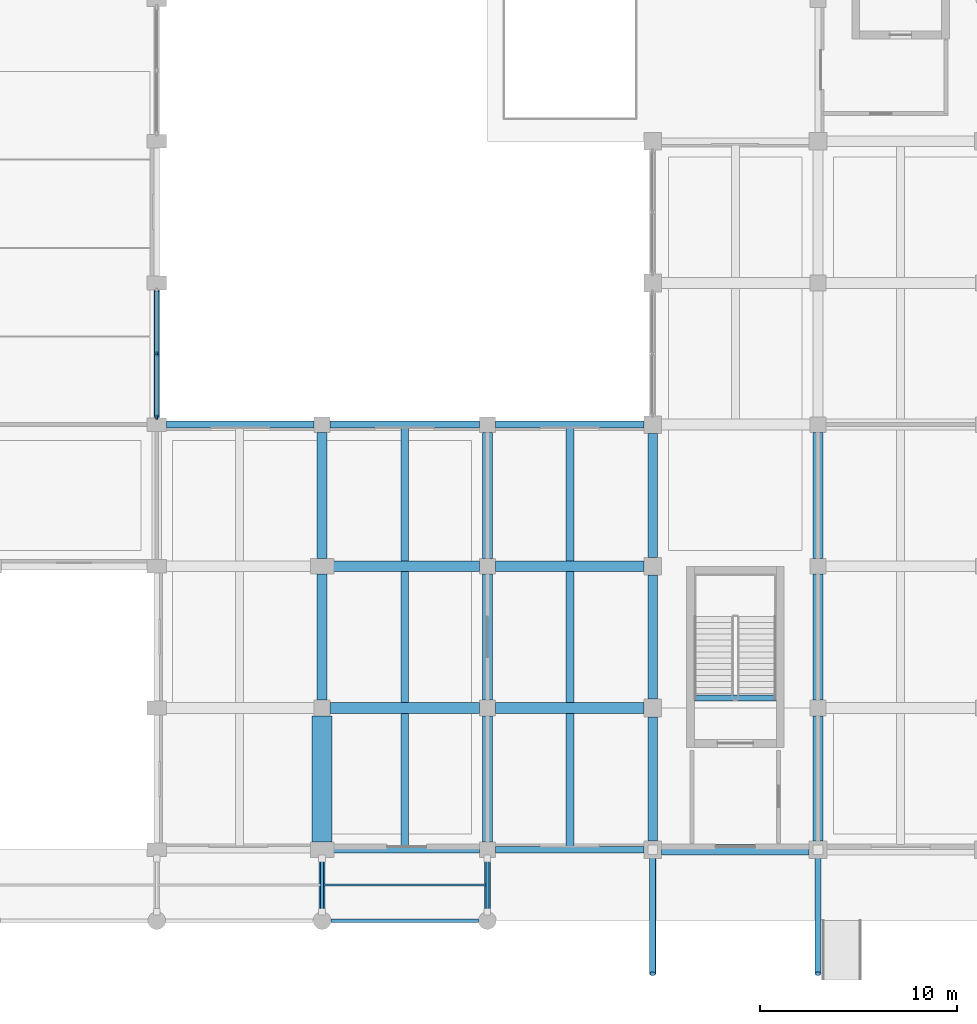
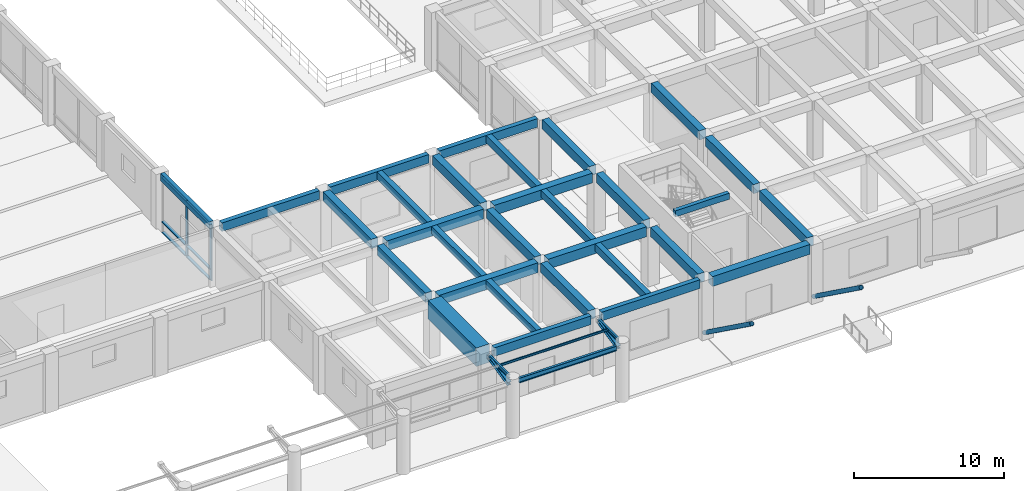
# One storey, part 4 of 49: 33 beams, 13 members, 1 element without a shape of its own.
"""IFC4 building model written with IfcOpenShell, lengths in metres."""

import ifcopenshell
import ifcopenshell.guid

model = None  # the IFC model being written
_history = None  # IfcOwnerHistory: only IFC2X3 demands one
_inside = {}  # id of a spatial element -> (the spatial element, [elements in it])
_under = {}  # id of a project, library or spatial element -> (it, [spatial elements below it])
_declared = {}  # id of a project -> (the project, [libraries it declares])
_typed = {}  # id of a type object -> (the type object, [elements of that type])
_made_of = {}  # id of a material, layer set ... -> (it, [elements and type objects made of it])


def new_model(schema):
    """Start an empty IFC model of exactly this schema.

    Asked for "IFC4X3", IfcOpenShell would pick the latest addendum, in which some entities
    have other attributes; the version numbers below select the first issue.
    IFC2X3 requires an IfcOwnerHistory on every rooted entity: one is made here for all.
    """
    global model, _history
    if schema == "IFC4X3":
        model = ifcopenshell.file(schema_version=(4, 3, 0, 0))
    else:
        model = ifcopenshell.file(schema=schema)
    _inside.clear()
    _under.clear()
    _declared.clear()
    _typed.clear()
    _made_of.clear()
    _history = None
    if model.schema == "IFC2X3":
        org = make("IfcOrganization", Name="unknown")
        user = make(
            "IfcPersonAndOrganization",
            ThePerson=make("IfcPerson", FamilyName="unknown"),
            TheOrganization=org,
        )
        app = make(
            "IfcApplication",
            ApplicationDeveloper=org,
            Version="unknown",
            ApplicationFullName="unknown",
            ApplicationIdentifier="unknown",
        )
        _history = make(
            "IfcOwnerHistory",
            OwningUser=user,
            OwningApplication=app,
            ChangeAction="ADDED",
            CreationDate=0,
        )
    return model


def make(cls, **values):
    """One entity of the class cls with the attributes given. An attribute that is None is left unset."""
    return model.create_entity(
        cls, **{name: value for name, value in values.items() if value is not None}
    )


def rooted(cls, **values):
    """An entity with a GlobalId (a new one), such as an element, a storey or a relation."""
    return make(cls, GlobalId=ifcopenshell.guid.new(), OwnerHistory=_history, **values)


def si_unit(unit_type, name, prefix=None):
    """IfcSIUnit, for example si_unit("LENGTHUNIT", "METRE", prefix="MILLI")."""
    return make("IfcSIUnit", UnitType=unit_type, Prefix=prefix, Name=name)


def assignment(units):
    """IfcUnitAssignment: the units of a project."""
    return None if units is None else make("IfcUnitAssignment", Units=units)


def point(xyz):
    """IfcCartesianPoint."""
    return None if xyz is None else make("IfcCartesianPoint", Coordinates=xyz)


def direction(xyz):
    """IfcDirection."""
    return None if xyz is None else make("IfcDirection", DirectionRatios=xyz)


def frame(location, z_axis=None, x_axis=None):
    """IfcAxis2Placement3D, a coordinate frame: its origin and axes. An axis left out is left unset."""
    return make(
        "IfcAxis2Placement3D",
        Location=point(location),
        Axis=direction(z_axis),
        RefDirection=direction(x_axis),
    )


def frame_2d(location, x_axis=None):
    """IfcAxis2Placement2D, a coordinate frame in the plane: its origin and x axis."""
    return make(
        "IfcAxis2Placement2D", Location=point(location), RefDirection=direction(x_axis)
    )


def origin():
    """The frame at (0, 0, 0) with its axes left unset."""
    return frame((0.0, 0.0, 0.0))


def origin_2d():
    """The frame at (0, 0) in the plane with its x axis left unset."""
    return frame_2d((0.0, 0.0))


def place(relative_to, where):
    """IfcLocalPlacement: puts the frame where relative to a parent placement (None: the world)."""
    return make(
        "IfcLocalPlacement", PlacementRelTo=relative_to, RelativePlacement=where
    )


def context(
    kind, dimensions, precision=None, world=None, true_north=None, identifier=None
):
    """IfcGeometricRepresentationContext, for example the 3D "Model" context."""
    return make(
        "IfcGeometricRepresentationContext",
        ContextIdentifier=identifier,
        ContextType=kind,
        CoordinateSpaceDimension=dimensions,
        Precision=precision,
        WorldCoordinateSystem=world,
        TrueNorth=true_north,
    )


def subcontext(parent, identifier, kind, view, scale=None):
    """IfcGeometricRepresentationSubContext, for example "Body" below "Model"."""
    return make(
        "IfcGeometricRepresentationSubContext",
        ContextIdentifier=identifier,
        ContextType=kind,
        ParentContext=parent,
        TargetScale=scale,
        TargetView=view,
    )


def project(units=None, contexts=None):
    """IfcProject with its units and contexts."""
    return rooted(
        "IfcProject",
        Name="project",
        RepresentationContexts=contexts,
        UnitsInContext=assignment(units),
    )


def spatial(cls, under=None, at=None, **own):
    """A site, building, storey or space (cls), placed at a placement, below another one or the project."""
    s = rooted(cls, ObjectPlacement=at, **own)
    if under is not None:
        _under.setdefault(under.id(), (under, []))[1].append(s)
    return s


def profile(cls, at=None, kind="AREA", **sizes):
    """A parametric profile (cls). Its sizes go by their IFC names, for example OverallWidth=200.0."""
    return make(cls, ProfileType=kind, Position=at, **sizes)


def rectangle(**sizes):
    """IfcRectangleProfileDef."""
    return profile("IfcRectangleProfileDef", **sizes)


def hollow_circle(**sizes):
    """IfcCircleHollowProfileDef."""
    return profile("IfcCircleHollowProfileDef", **sizes)


def i_section(**sizes):
    """IfcIShapeProfileDef."""
    return profile("IfcIShapeProfileDef", **sizes)


def extrude(swept, where, along, depth):
    """IfcExtrudedAreaSolid: the profile swept, set in the frame where, extruded along a direction by depth."""
    return make(
        "IfcExtrudedAreaSolid",
        SweptArea=swept,
        Position=where,
        ExtrudedDirection=direction(along),
        Depth=depth,
    )


def shape(context_of_items, identifier, shape_type, items):
    """IfcShapeRepresentation: the items that make up one representation, for example the "Body"."""
    return make(
        "IfcShapeRepresentation",
        ContextOfItems=context_of_items,
        RepresentationIdentifier=identifier,
        RepresentationType=shape_type,
        Items=items,
    )


def material(Name=None, Category=None):
    """IfcMaterial."""
    return make("IfcMaterial", Name=Name, Category=Category)


def material_profile(
    of_material, cross_section, Name=None, Category=None, Priority=None
):
    """IfcMaterialProfile: a cross section and its material."""
    return make(
        "IfcMaterialProfile",
        Name=Name,
        Material=of_material,
        Profile=cross_section,
        Priority=Priority,
        Category=Category,
    )


def profile_set(profiles, Name=None, composite=None):
    """IfcMaterialProfileSet."""
    return make(
        "IfcMaterialProfileSet",
        Name=Name,
        MaterialProfiles=profiles,
        CompositeProfile=composite,
    )


def made_of(thing, what):
    """Note that an element or type object is made of a material, layer set ...; save() writes the relation."""
    if what is not None:
        _made_of.setdefault(what.id(), (what, []))[1].append(thing)
    return thing


def type_object(cls, material=None, **own):
    """A type object (cls), such as IfcWallType, which elements share."""
    return made_of(rooted(cls, **own), material)


def element(
    cls,
    number,
    at=None,
    inside=None,
    cuts=None,
    type_object=None,
    material=None,
    context=None,
    identifier="Body",
    shape_type=None,
    held_by="IfcProductDefinitionShape",
    body=None,
    shapes=None,
    **own,
):
    """One element of the class cls, such as IfcWall. Its Tag is "e" and its number.

    at: its placement. inside: the storey or other place that contains it. cuts: it is an
    opening in that element (IfcRelVoidsElement). A single representation is given by context,
    identifier, shape_type and body (its items); several are given by shapes. held_by: the class
    of the entity that holds the representations. save() writes the other relations.
    """
    e = rooted(cls, Tag="e%d" % number, ObjectPlacement=at, **own)
    if body is not None:
        shapes = [shape(context, identifier, shape_type, body)]
    if shapes is not None:
        e.Representation = make(held_by, Representations=shapes)
    if inside is not None:
        _inside.setdefault(inside.id(), (inside, []))[1].append(e)
    if cuts is not None:
        rooted(
            "IfcRelVoidsElement", RelatingBuildingElement=cuts, RelatedOpeningElement=e
        )
    if type_object is not None:
        _typed.setdefault(type_object.id(), (type_object, []))[1].append(e)
    return made_of(e, material)


def aggregate(whole, parts):
    """IfcRelAggregates: a whole, such as a stair, and the parts it consists of."""
    return rooted("IfcRelAggregates", RelatingObject=whole, RelatedObjects=parts)


def save(model, path):
    """Write the relations noted so far, then the file.

    IfcRelAggregates (storeys below a building ...), IfcRelContainedInSpatialStructure (elements
    in a storey), IfcRelDefinesByType, IfcRelAssociatesMaterial and IfcRelDeclares: one each for
    every whole, place, type object, material and project.
    """
    for whole, parts in _under.values():
        aggregate(whole, parts)
    for where, things in _inside.values():
        rooted(
            "IfcRelContainedInSpatialStructure",
            RelatedElements=things,
            RelatingStructure=where,
        )
    for kind, things in _typed.values():
        rooted("IfcRelDefinesByType", RelatedObjects=things, RelatingType=kind)
    for what, things in _made_of.values():
        rooted("IfcRelAssociatesMaterial", RelatedObjects=things, RelatingMaterial=what)
    for by, libraries in _declared.values():
        rooted("IfcRelDeclares", RelatingContext=by, RelatedDefinitions=libraries)
    model.write(path)


model = new_model("IFC4")

# Units and contexts
model_context = context("Model", 3, precision=1e-05, world=origin(), true_north=direction((0.0, 1.0)))
body_context = subcontext(model_context, "Body", "Model", "MODEL_VIEW")
ifc_project = project(units=[si_unit("LENGTHUNIT", "METRE"), si_unit("AREAUNIT", "SQUARE_METRE"), si_unit("VOLUMEUNIT", "CUBIC_METRE"), si_unit("PLANEANGLEUNIT", "RADIAN"), si_unit("MASSUNIT", "GRAM", prefix="KILO")], contexts=[model_context])

# Site, building, storey
site_placement = place(None, origin())
site = spatial("IfcSite", under=ifc_project, at=site_placement, CompositionType="ELEMENT")
building_placement = place(site_placement, origin())
building = spatial("IfcBuilding", under=site, at=building_placement, Name="Kenerak Square Central Library", CompositionType="ELEMENT")
storey_placement = place(building_placement, origin())
storey = spatial("IfcBuildingStorey", under=building, at=storey_placement, Name="L00", CompositionType="ELEMENT", Elevation=0.0)

# Beams
ifc_material_1 = material(Name="Steel S355", Category="steel")
ifc_material_profile_1 = material_profile(ifc_material_1, i_section(OverallWidth=0.14990234375, OverallDepth=0.300048828125, WebThickness=0.007080078125, FlangeThickness=0.0107421875, FilletRadius=0.014892578125, at=origin_2d()), Name="IPE 300")
ifc_profile_set_1 = profile_set([ifc_material_profile_1], Name="Steel S355")
beam_type_1 = type_object("IfcBeamType", Name="Canopy Steel Joist SJ-02 IPE 300 S355", PredefinedType="JOIST", material=ifc_profile_set_1)
for number, where, z_axis, x_axis, name in (
    (1, (41.60009765625, 13.64990234375, 4.5), (0.0, 1.0, 0.0), (-1.0, 0.0, 0.0), "Colonnade Canopy Tie Joist SJ-02 05"),
    (2, (50.0, 13.64990234375, 4.5), (0.0, 1.0, 0.0), (-1.0, 0.0, 0.0), "Colonnade Canopy Tie Joist SJ-02 06"),
):
    element("IfcBeam", number, at=place(storey_placement, frame(where, z_axis=z_axis, x_axis=x_axis)), inside=storey, type_object=beam_type_1, Name=name, PredefinedType="JOIST", context=body_context, shape_type="SweptSolid", body=[
        extrude(i_section(OverallWidth=0.14990234375, OverallDepth=0.300048828125, WebThickness=0.007080078125, FlangeThickness=0.0107421875, FilletRadius=0.014892578125, at=origin_2d()), origin(), (0.0, 0.0, 1.0), 2.7001953125),
    ])

# Members
ifc_material_profile_2 = material_profile(ifc_material_1, i_section(OverallWidth=0.300048828125, OverallDepth=0.300048828125, WebThickness=0.010986328125, FlangeThickness=0.01904296875, FilletRadius=0.027099609375, at=origin_2d()), Name="HEB 300")
ifc_profile_set_2 = profile_set([ifc_material_profile_2], Name="Steel S355")
member_type_1 = type_object("IfcMemberType", Name="Canopy Tie Member CT-01 HEB 300 S355", PredefinedType="STRUT", material=ifc_profile_set_2)
for number, where, z_axis, x_axis, name in (
    (3, (41.60009765625, 13.64990234375, 3.89990234375), (0.0, 0.976182906477, 0.216949148655), (-1.0, 0.0, 0.0), "Colonnade Raking Tie CT-01 05"),
    (4, (50.0, 13.64990234375, 3.89990234375), (0.0, 0.976182906477, 0.216949148655), (-1.0, 0.0, 0.0), "Colonnade Raking Tie CT-01 06"),
):
    element("IfcMember", number, at=place(storey_placement, frame(where, z_axis=z_axis, x_axis=x_axis)), inside=storey, type_object=member_type_1, Name=name, PredefinedType="STRUT", context=body_context, shape_type="SweptSolid", body=[
        extrude(i_section(OverallWidth=0.300048828125, OverallDepth=0.300048828125, WebThickness=0.010986328125, FlangeThickness=0.01904296875, FilletRadius=0.027099609375, at=origin_2d()), origin(), (0.0, 0.0, 1.0), 2.76611328125),
    ])
ifc_material_profile_3 = material_profile(ifc_material_1, i_section(OverallWidth=0.091064453125, OverallDepth=0.179931640625, WebThickness=0.00537109375, FlangeThickness=0.008056640625, FilletRadius=0.009033203125, at=origin_2d()), Name="IPE 180")
ifc_profile_set_3 = profile_set([ifc_material_profile_3], Name="Steel S355")
member_type_2 = type_object("IfcMemberType", Name="Canopy Trim Purlin PR-03 IPE 180 S355", PredefinedType="PURLIN", material=ifc_profile_set_3)
member_1_placement = place(storey_placement, frame((41.60009765625, 15.0, 4.56005859375), z_axis=(1.0, 0.0, 0.0), x_axis=(0.0, 1.0, 0.0)))
element("IfcMember", 5, at=member_1_placement, inside=storey, type_object=member_type_2, Name="Colonnade Trim Purlin PR-03 05", PredefinedType="PURLIN", context=body_context, shape_type="SweptSolid", body=[
    extrude(i_section(OverallWidth=0.091064453125, OverallDepth=0.179931640625, WebThickness=0.00537109375, FlangeThickness=0.008056640625, FilletRadius=0.009033203125, at=origin_2d()), origin(), (0.0, 0.0, 1.0), 8.39990234375),
])

# Beams
ifc_material_profile_4 = material_profile(ifc_material_1, i_section(OverallWidth=0.179931640625, OverallDepth=0.39990234375, WebThickness=0.008544921875, FlangeThickness=0.013427734375, FilletRadius=0.02099609375, at=origin_2d()), Name="IPE 400")
ifc_profile_set_4 = profile_set([ifc_material_profile_4], Name="Steel S355")
beam_type_2 = type_object("IfcBeamType", Name="Colonnade Roof Beam SB-09 IPE 400 S355", PredefinedType="BEAM", material=ifc_profile_set_4)
beam_1_placement = place(storey_placement, frame((42.050048828125, 13.199951171875, 4.300048828125), z_axis=(1.0, 0.0, 0.0), x_axis=(0.0, 1.0, 0.0)))
element("IfcBeam", 6, at=beam_1_placement, inside=storey, type_object=beam_type_2, Name="Colonnade Edge Beam SB-09 W05", PredefinedType="BEAM", context=body_context, shape_type="SweptSolid", body=[
    extrude(i_section(OverallWidth=0.179931640625, OverallDepth=0.39990234375, WebThickness=0.008544921875, FlangeThickness=0.013427734375, FilletRadius=0.02099609375, at=origin_2d()), origin(), (0.0, 0.0, 1.0), 7.5),
])
ifc_material_2 = material(Name="Concrete C40/50", Category="concrete")
ifc_material_profile_5 = material_profile(ifc_material_2, rectangle(XDim=0.300048828125, YDim=0.60009765625, at=origin_2d()), Name="RC 300x600")
ifc_profile_set_5 = profile_set([ifc_material_profile_5], Name="Concrete C40/50")
beam_type_3 = type_object("IfcBeamType", Name="Courtyard Spandrel Beam SP-02 RC 300x600 C40/50", PredefinedType="SPANDREL", material=ifc_profile_set_5)
beam_2_placement = place(storey_placement, frame((33.199951171875, 38.75, 4.5), z_axis=(0.0, 1.0, 0.0), x_axis=(-1.0, 0.0, 0.0)))
element("IfcBeam", 7, at=beam_2_placement, inside=storey, type_object=beam_type_3, Name="Beam SP-02 L00 0600", PredefinedType="SPANDREL", context=body_context, shape_type="SweptSolid", body=[
    extrude(rectangle(XDim=0.300048828125, YDim=0.60009765625, at=origin_2d()), origin(), (0.0, 0.0, 1.0), 6.5),
])

# Curtain wall, members
ifc_material_3 = material(Name="Anodised aluminium and solar-control low-E glazing", Category="aluminium")
curtain_wall_type = type_object("IfcCurtainWallType", Name="Curtain Wall CW-V3-65x45 6500x4525", PredefinedType="USERDEFINED", material=ifc_material_3)
curtain_wall_placement = place(storey_placement, origin())
curtain_wall = element("IfcCurtainWall", 8, at=curtain_wall_placement, inside=storey, type_object=curtain_wall_type, Name="Curtain Wall CW-V3-65x45 L00 0020", ObjectType="CURTAIN WALL", PredefinedType="USERDEFINED")
ifc_material_4 = material(Name="Anodised aluminium 6063-T6", Category="aluminium")
ifc_material_profile_6 = material_profile(ifc_material_4, rectangle(XDim=0.080078125, YDim=0.239990234375, at=origin_2d()), Name="AL MULLION 80x240")
ifc_profile_set_6 = profile_set([ifc_material_profile_6], Name="Anodised aluminium 6063-T6")
member_type_3 = type_object("IfcMemberType", Name="Curtain Mullion CM-04 80x240", PredefinedType="MULLION", material=ifc_profile_set_6)
member_2_placement = place(storey_placement, frame((33.199951171875, 42.0, 0.0), z_axis=(0.0, 0.0, 1.0), x_axis=(1.0, 0.0, 0.0)))
member_2 = element("IfcMember", 9, at=member_2_placement, type_object=member_type_3, Name="CW-V3-65x45 Mullion 2", PredefinedType="MULLION", context=body_context, shape_type="SweptSolid", body=[
    extrude(rectangle(XDim=0.080078125, YDim=0.239990234375, at=origin_2d()), origin(), (0.0, 0.0, 1.0), 4.52490234375),
])
member_3_placement = place(storey_placement, frame((33.199951171875, 38.7900390625, 0.0), z_axis=(0.0, 0.0, 1.0), x_axis=(1.0, 0.0, 0.0)))
member_3 = element("IfcMember", 10, at=member_3_placement, type_object=member_type_3, Name="CW-V3-65x45 Mullion 3", PredefinedType="MULLION", context=body_context, shape_type="SweptSolid", body=[
    extrude(rectangle(XDim=0.080078125, YDim=0.239990234375, at=origin_2d()), origin(), (0.0, 0.0, 1.0), 4.52490234375),
])
ifc_material_profile_7 = material_profile(ifc_material_4, rectangle(XDim=0.219970703125, YDim=0.080078125, at=origin_2d()), Name="AL TRANSOM 220x80")
ifc_profile_set_7 = profile_set([ifc_material_profile_7], Name="Anodised aluminium 6063-T6")
member_type_4 = type_object("IfcMemberType", Name="Curtain Transom CT-14 220x80", PredefinedType="USERDEFINED", material=ifc_profile_set_7)
member_4_placement = place(storey_placement, frame((33.199951171875, 45.169921875, 0.0400390625), z_axis=(0.0, -1.0, 0.0), x_axis=(1.0, 0.0, 0.0)))
member_4 = element("IfcMember", 11, at=member_4_placement, type_object=member_type_4, Name="CW-V3-65x45 Transom 1.1", ObjectType="TRANSOM", PredefinedType="USERDEFINED", context=body_context, shape_type="SweptSolid", body=[
    extrude(rectangle(XDim=0.219970703125, YDim=0.080078125, at=origin_2d()), origin(), (0.0, 0.0, 1.0), 3.1298828125),
])
member_5_placement = place(storey_placement, frame((33.199951171875, 45.169921875, 0.89990234375), z_axis=(0.0, -1.0, 0.0), x_axis=(1.0, 0.0, 0.0)))
member_5 = element("IfcMember", 12, at=member_5_placement, type_object=member_type_4, Name="CW-V3-65x45 Transom 1.2", ObjectType="TRANSOM", PredefinedType="USERDEFINED", context=body_context, shape_type="SweptSolid", body=[
    extrude(rectangle(XDim=0.219970703125, YDim=0.080078125, at=origin_2d()), origin(), (0.0, 0.0, 1.0), 3.1298828125),
])
member_6_placement = place(storey_placement, frame((33.199951171875, 45.169921875, 4.485107421875), z_axis=(0.0, -1.0, 0.0), x_axis=(1.0, 0.0, 0.0)))
member_6 = element("IfcMember", 13, at=member_6_placement, type_object=member_type_4, Name="CW-V3-65x45 Transom 1.3", ObjectType="TRANSOM", PredefinedType="USERDEFINED", context=body_context, shape_type="SweptSolid", body=[
    extrude(rectangle(XDim=0.219970703125, YDim=0.080078125, at=origin_2d()), origin(), (0.0, 0.0, 1.0), 3.1298828125),
])
member_7_placement = place(storey_placement, frame((33.199951171875, 41.9599609375, 0.0400390625), z_axis=(0.0, -1.0, 0.0), x_axis=(1.0, 0.0, 0.0)))
member_7 = element("IfcMember", 14, at=member_7_placement, type_object=member_type_4, Name="CW-V3-65x45 Transom 2.1", ObjectType="TRANSOM", PredefinedType="USERDEFINED", context=body_context, shape_type="SweptSolid", body=[
    extrude(rectangle(XDim=0.219970703125, YDim=0.080078125, at=origin_2d()), origin(), (0.0, 0.0, 1.0), 3.1298828125),
])
member_8_placement = place(storey_placement, frame((33.199951171875, 41.9599609375, 0.89990234375), z_axis=(0.0, -1.0, 0.0), x_axis=(1.0, 0.0, 0.0)))
member_8 = element("IfcMember", 15, at=member_8_placement, type_object=member_type_4, Name="CW-V3-65x45 Transom 2.2", ObjectType="TRANSOM", PredefinedType="USERDEFINED", context=body_context, shape_type="SweptSolid", body=[
    extrude(rectangle(XDim=0.219970703125, YDim=0.080078125, at=origin_2d()), origin(), (0.0, 0.0, 1.0), 3.1298828125),
])
member_9_placement = place(storey_placement, frame((33.199951171875, 41.9599609375, 4.485107421875), z_axis=(0.0, -1.0, 0.0), x_axis=(1.0, 0.0, 0.0)))
member_9 = element("IfcMember", 16, at=member_9_placement, type_object=member_type_4, Name="CW-V3-65x45 Transom 2.3", ObjectType="TRANSOM", PredefinedType="USERDEFINED", context=body_context, shape_type="SweptSolid", body=[
    extrude(rectangle(XDim=0.219970703125, YDim=0.080078125, at=origin_2d()), origin(), (0.0, 0.0, 1.0), 3.1298828125),
])
aggregate(curtain_wall, [member_2, member_3, member_4, member_5, member_6, member_7, member_8, member_9])

# Beams
ifc_material_profile_8 = material_profile(ifc_material_2, rectangle(XDim=0.35009765625, YDim=0.699951171875, at=origin_2d()), Name="RC 350x700")
ifc_profile_set_8 = profile_set([ifc_material_profile_8], Name="Concrete C40/50")
beam_type_4 = type_object("IfcBeamType", Name="Expressed Spandrel Beam SP-01 RC 350x700 C40/50", PredefinedType="SPANDREL", material=ifc_profile_set_8)
beam_3_placement = place(storey_placement, frame((42.14990234375, 16.800048828125, 4.449951171875), z_axis=(1.0, 0.0, 0.0), x_axis=(0.0, 1.0, 0.0)))
element("IfcBeam", 17, at=beam_3_placement, inside=storey, type_object=beam_type_4, Name="Beam SP-01 L00 0448", PredefinedType="SPANDREL", context=body_context, shape_type="SweptSolid", body=[
    extrude(rectangle(XDim=0.35009765625, YDim=0.699951171875, at=origin_2d()), origin(), (0.0, 0.0, 1.0), 7.4501953125),
])
beam_4_placement = place(storey_placement, frame((50.39990234375, 16.800048828125, 4.449951171875), z_axis=(1.0, 0.0, 0.0), x_axis=(0.0, 1.0, 0.0)))
element("IfcBeam", 18, at=beam_4_placement, inside=storey, type_object=beam_type_4, Name="Beam SP-01 L00 0449", PredefinedType="SPANDREL", context=body_context, shape_type="SweptSolid", body=[
    extrude(rectangle(XDim=0.35009765625, YDim=0.699951171875, at=origin_2d()), origin(), (0.0, 0.0, 1.0), 7.550048828125),
])
beam_5_placement = place(storey_placement, frame((33.699951171875, 38.39990234375, 4.449951171875), z_axis=(1.0, 0.0, 0.0), x_axis=(0.0, 1.0, 0.0)))
element("IfcBeam", 19, at=beam_5_placement, inside=storey, type_object=beam_type_4, Name="Beam SP-01 L00 0491", PredefinedType="SPANDREL", context=body_context, shape_type="SweptSolid", body=[
    extrude(rectangle(XDim=0.35009765625, YDim=0.699951171875, at=origin_2d()), origin(), (0.0, 0.0, 1.0), 7.5),
])
beam_6_placement = place(storey_placement, frame((42.0, 38.39990234375, 4.449951171875), z_axis=(1.0, 0.0, 0.0), x_axis=(0.0, 1.0, 0.0)))
element("IfcBeam", 20, at=beam_6_placement, inside=storey, type_object=beam_type_4, Name="Beam SP-01 L00 0492", PredefinedType="SPANDREL", context=body_context, shape_type="SweptSolid", body=[
    extrude(rectangle(XDim=0.35009765625, YDim=0.699951171875, at=origin_2d()), origin(), (0.0, 0.0, 1.0), 7.60009765625),
])
beam_7_placement = place(storey_placement, frame((50.39990234375, 38.39990234375, 4.449951171875), z_axis=(1.0, 0.0, 0.0), x_axis=(0.0, 1.0, 0.0)))
element("IfcBeam", 21, at=beam_7_placement, inside=storey, type_object=beam_type_4, Name="Beam SP-01 L00 0493", PredefinedType="SPANDREL", context=body_context, shape_type="SweptSolid", body=[
    extrude(rectangle(XDim=0.35009765625, YDim=0.699951171875, at=origin_2d()), origin(), (0.0, 0.0, 1.0), 7.550048828125),
])
ifc_material_profile_9 = material_profile(ifc_material_2, rectangle(XDim=0.300048828125, YDim=0.5, at=origin_2d()), Name="RC 300x500")
ifc_profile_set_9 = profile_set([ifc_material_profile_9], Name="Concrete C40/50")
beam_type_5 = type_object("IfcBeamType", Name="Landing Support Beam B-08 RC 300x500 C40/50", PredefinedType="BEAM", material=ifc_profile_set_9)
beam_8_placement = place(storey_placement, frame((60.52001953125, 24.510009765625, 4.550048828125), z_axis=(1.0, 0.0, 0.0), x_axis=(0.0, 1.0, 0.0)))
element("IfcBeam", 22, at=beam_8_placement, inside=storey, type_object=beam_type_5, Name="Stair Threshold Beam B-08 ST-04 L01", PredefinedType="BEAM", context=body_context, shape_type="SweptSolid", body=[
    extrude(rectangle(XDim=0.300048828125, YDim=0.5, at=origin_2d()), origin(), (0.0, 0.0, 1.0), 4.159912109375),
])
ifc_material_profile_10 = material_profile(ifc_material_2, rectangle(XDim=0.550048828125, YDim=0.800048828125, at=origin_2d()), Name="RC 550x800")
ifc_profile_set_10 = profile_set([ifc_material_profile_10], Name="Concrete C40/50")
beam_type_6 = type_object("IfcBeamType", Name="Primary Reading Beam B-04 RC 550x800 C40/50", PredefinedType="BEAM", material=ifc_profile_set_10)
beam_9_placement = place(storey_placement, frame((58.85009765625, 16.800048828125, 4.39990234375), z_axis=(1.0, 0.0, 0.0), x_axis=(0.0, 1.0, 0.0)))
element("IfcBeam", 23, at=beam_9_placement, inside=storey, type_object=beam_type_6, Name="Beam B-04 L00 0450", PredefinedType="BEAM", context=body_context, shape_type="SweptSolid", body=[
    extrude(rectangle(XDim=0.550048828125, YDim=0.800048828125, at=origin_2d()), origin(), (0.0, 0.0, 1.0), 7.5),
])
beam_10_placement = place(storey_placement, frame((42.0, 24.0, 4.39990234375), z_axis=(1.0, 0.0, 0.0), x_axis=(0.0, 1.0, 0.0)))
element("IfcBeam", 24, at=beam_10_placement, inside=storey, type_object=beam_type_6, Name="Beam B-04 L00 0462", PredefinedType="BEAM", context=body_context, shape_type="SweptSolid", body=[
    extrude(rectangle(XDim=0.550048828125, YDim=0.800048828125, at=origin_2d()), origin(), (0.0, 0.0, 1.0), 7.60009765625),
])
beam_11_placement = place(storey_placement, frame((50.39990234375, 24.0, 4.39990234375), z_axis=(1.0, 0.0, 0.0), x_axis=(0.0, 1.0, 0.0)))
element("IfcBeam", 25, at=beam_11_placement, inside=storey, type_object=beam_type_6, Name="Beam B-04 L00 0463", PredefinedType="BEAM", context=body_context, shape_type="SweptSolid", body=[
    extrude(rectangle(XDim=0.550048828125, YDim=0.800048828125, at=origin_2d()), origin(), (0.0, 0.0, 1.0), 7.550048828125),
])
beam_12_placement = place(storey_placement, frame((42.14990234375, 31.199951171875, 4.39990234375), z_axis=(1.0, 0.0, 0.0), x_axis=(0.0, 1.0, 0.0)))
element("IfcBeam", 26, at=beam_12_placement, inside=storey, type_object=beam_type_6, Name="Beam B-04 L00 0477", PredefinedType="BEAM", context=body_context, shape_type="SweptSolid", body=[
    extrude(rectangle(XDim=0.550048828125, YDim=0.800048828125, at=origin_2d()), origin(), (0.0, 0.0, 1.0), 7.4501953125),
])
beam_13_placement = place(storey_placement, frame((50.39990234375, 31.199951171875, 4.39990234375), z_axis=(1.0, 0.0, 0.0), x_axis=(0.0, 1.0, 0.0)))
element("IfcBeam", 27, at=beam_13_placement, inside=storey, type_object=beam_type_6, Name="Beam B-04 L00 0478", PredefinedType="BEAM", context=body_context, shape_type="SweptSolid", body=[
    extrude(rectangle(XDim=0.550048828125, YDim=0.800048828125, at=origin_2d()), origin(), (0.0, 0.0, 1.0), 7.550048828125),
])

# Members
ifc_material_profile_11 = material_profile(ifc_material_1, hollow_circle(Radius=0.161865234375, WallThickness=0.012451171875, at=origin_2d()), Name="CHS 323.9x12.5")
ifc_profile_set_11 = profile_set([ifc_material_profile_11], Name="Steel S355")
member_type_5 = type_object("IfcMemberType", Name="Raking Overhang Strut RK-01 CHS 323.9x12.5 S355", PredefinedType="STRUT", material=ifc_profile_set_11)
for number, where, z_axis, x_axis, name in (
    (28, (58.39990234375, 16.800048828125, 0.25), (0.0, -0.810678399997, 0.585491700862), (1.0, 0.0, 0.0), "Raking Base Strut RK-01 1"),
    (29, (66.800048828125, 16.800048828125, 0.25), (0.0, -0.810678399997, 0.585491700862), (1.0, 0.0, 0.0), "Raking Base Strut RK-01 2"),
):
    element("IfcMember", number, at=place(storey_placement, frame(where, z_axis=z_axis, x_axis=x_axis)), inside=storey, type_object=member_type_5, Name=name, PredefinedType="STRUT", context=body_context, shape_type="SweptSolid", body=[
        extrude(hollow_circle(Radius=0.161865234375, WallThickness=0.012451171875, at=origin_2d()), origin(), (0.0, 0.0, 1.0), 7.771240234375),
    ])

# Beams
ifc_material_profile_12 = material_profile(ifc_material_2, rectangle(XDim=0.39990234375, YDim=0.60009765625, at=origin_2d()), Name="RC 400x600")
ifc_profile_set_12 = profile_set([ifc_material_profile_12], Name="Concrete C40/50")
beam_type_7 = type_object("IfcBeamType", Name="Secondary Floor Joist J-01 RC 400x600 C40/50", PredefinedType="JOIST", material=ifc_profile_set_12)
beam_14_placement = place(storey_placement, frame((45.800048828125, 16.97509765625, 4.5), z_axis=(0.0, 1.0, 0.0), x_axis=(-1.0, 0.0, 0.0)))
element("IfcBeam", 30, at=beam_14_placement, inside=storey, type_object=beam_type_7, Name="Joist J-01 L00 0755", PredefinedType="JOIST", context=body_context, shape_type="SweptSolid", body=[
    extrude(rectangle(XDim=0.39990234375, YDim=0.60009765625, at=origin_2d()), origin(), (0.0, 0.0, 1.0), 6.75),
])
beam_15_placement = place(storey_placement, frame((45.800048828125, 24.27490234375, 4.5), z_axis=(0.0, 1.0, 0.0), x_axis=(-1.0, 0.0, 0.0)))
element("IfcBeam", 31, at=beam_15_placement, inside=storey, type_object=beam_type_7, Name="Joist J-01 L00 0756", PredefinedType="JOIST", context=body_context, shape_type="SweptSolid", body=[
    extrude(rectangle(XDim=0.39990234375, YDim=0.60009765625, at=origin_2d()), origin(), (0.0, 0.0, 1.0), 6.650146484375),
])
for number, where, z_axis, x_axis, name in (
    (32, (45.800048828125, 31.47509765625, 4.5), (0.0, 1.0, 0.0), (-1.0, 0.0, 0.0), "Joist J-01 L00 0757"),
    (33, (54.199951171875, 16.97509765625, 4.5), (0.0, 1.0, 0.0), (-1.0, 0.0, 0.0), "Joist J-01 L00 0758"),
):
    element("IfcBeam", number, at=place(storey_placement, frame(where, z_axis=z_axis, x_axis=x_axis)), inside=storey, type_object=beam_type_7, Name=name, PredefinedType="JOIST", context=body_context, shape_type="SweptSolid", body=[
        extrude(rectangle(XDim=0.39990234375, YDim=0.60009765625, at=origin_2d()), origin(), (0.0, 0.0, 1.0), 6.75),
    ])
beam_16_placement = place(storey_placement, frame((54.199951171875, 24.27490234375, 4.5), z_axis=(0.0, 1.0, 0.0), x_axis=(-1.0, 0.0, 0.0)))
element("IfcBeam", 34, at=beam_16_placement, inside=storey, type_object=beam_type_7, Name="Joist J-01 L00 0759", PredefinedType="JOIST", context=body_context, shape_type="SweptSolid", body=[
    extrude(rectangle(XDim=0.39990234375, YDim=0.60009765625, at=origin_2d()), origin(), (0.0, 0.0, 1.0), 6.650146484375),
])
beam_17_placement = place(storey_placement, frame((54.199951171875, 31.47509765625, 4.5), z_axis=(0.0, 1.0, 0.0), x_axis=(-1.0, 0.0, 0.0)))
element("IfcBeam", 35, at=beam_17_placement, inside=storey, type_object=beam_type_7, Name="Joist J-01 L00 0760", PredefinedType="JOIST", context=body_context, shape_type="SweptSolid", body=[
    extrude(rectangle(XDim=0.39990234375, YDim=0.60009765625, at=origin_2d()), origin(), (0.0, 0.0, 1.0), 6.75),
])
ifc_material_5 = material(Name="Concrete C45/55", Category="concrete")
ifc_material_profile_13 = material_profile(ifc_material_5, rectangle(XDim=1.0, YDim=1.5, at=origin_2d()), Name="RC 1000x1500")
ifc_profile_set_13 = profile_set([ifc_material_profile_13], Name="Concrete C45/55")
beam_type_8 = type_object("IfcBeamType", Name="Transfer Girder TG-01 RC 1000x1500 C45/55", PredefinedType="BEAM", material=ifc_profile_set_13)
beam_18_placement = place(storey_placement, frame((41.60009765625, 17.199951171875, 4.050048828125), z_axis=(0.0, 1.0, 0.0), x_axis=(-1.0, 0.0, 0.0)))
element("IfcBeam", 36, at=beam_18_placement, inside=storey, type_object=beam_type_8, Name="Lecture Transfer Girder TG-L01-01", PredefinedType="BEAM", context=body_context, shape_type="SweptSolid", body=[
    extrude(rectangle(XDim=1.0, YDim=1.5, at=origin_2d()), origin(), (0.0, 0.0, 1.0), 6.400146484375),
])
ifc_material_profile_14 = material_profile(ifc_material_2, rectangle(XDim=0.5, YDim=0.75, at=origin_2d()), Name="RC 500x750")
ifc_profile_set_14 = profile_set([ifc_material_profile_14], Name="Concrete C40/50")
beam_type_9 = type_object("IfcBeamType", Name="Transverse Frame Beam B-05 RC 500x750 C40/50", PredefinedType="BEAM", material=ifc_profile_set_14)
beam_19_placement = place(storey_placement, frame((41.60009765625, 24.39990234375, 4.425048828125), z_axis=(0.0, 1.0, 0.0), x_axis=(-1.0, 0.0, 0.0)))
element("IfcBeam", 37, at=beam_19_placement, inside=storey, type_object=beam_type_9, Name="Beam B-05 L00 0605", PredefinedType="BEAM", context=body_context, shape_type="SweptSolid", body=[
    extrude(rectangle(XDim=0.5, YDim=0.75, at=origin_2d()), origin(), (0.0, 0.0, 1.0), 6.400146484375),
])
beam_20_placement = place(storey_placement, frame((41.60009765625, 31.60009765625, 4.425048828125), z_axis=(0.0, 1.0, 0.0), x_axis=(-1.0, 0.0, 0.0)))
element("IfcBeam", 38, at=beam_20_placement, inside=storey, type_object=beam_type_9, Name="Beam B-05 L00 0606", PredefinedType="BEAM", context=body_context, shape_type="SweptSolid", body=[
    extrude(rectangle(XDim=0.5, YDim=0.75, at=origin_2d()), origin(), (0.0, 0.0, 1.0), 6.39990234375),
])
for number, where, z_axis, x_axis, name in (
    (39, (50.0, 17.199951171875, 4.425048828125), (0.0, 1.0, 0.0), (-1.0, 0.0, 0.0), "Beam B-05 L00 0607"),
    (40, (50.0, 24.39990234375, 4.425048828125), (0.0, 1.0, 0.0), (-1.0, 0.0, 0.0), "Beam B-05 L00 0608"),
):
    element("IfcBeam", number, at=place(storey_placement, frame(where, z_axis=z_axis, x_axis=x_axis)), inside=storey, type_object=beam_type_9, Name=name, PredefinedType="BEAM", context=body_context, shape_type="SweptSolid", body=[
        extrude(rectangle(XDim=0.5, YDim=0.75, at=origin_2d()), origin(), (0.0, 0.0, 1.0), 6.400146484375),
    ])
beam_21_placement = place(storey_placement, frame((50.0, 31.60009765625, 4.425048828125), z_axis=(0.0, 1.0, 0.0), x_axis=(-1.0, 0.0, 0.0)))
element("IfcBeam", 41, at=beam_21_placement, inside=storey, type_object=beam_type_9, Name="Beam B-05 L00 0609", PredefinedType="BEAM", context=body_context, shape_type="SweptSolid", body=[
    extrude(rectangle(XDim=0.5, YDim=0.75, at=origin_2d()), origin(), (0.0, 0.0, 1.0), 6.39990234375),
])
for number, where, z_axis, x_axis, name in (
    (42, (58.39990234375, 17.25, 4.425048828125), (0.0, 1.0, 0.0), (-1.0, 0.0, 0.0), "Beam B-05 L00 0613"),
    (43, (58.39990234375, 24.449951171875, 4.425048828125), (0.0, 1.0, 0.0), (-1.0, 0.0, 0.0), "Beam B-05 L00 0614"),
    (44, (58.39990234375, 31.64990234375, 4.425048828125), (0.0, 1.0, 0.0), (-1.0, 0.0, 0.0), "Beam B-05 L00 0615"),
):
    element("IfcBeam", number, at=place(storey_placement, frame(where, z_axis=z_axis, x_axis=x_axis)), inside=storey, type_object=beam_type_9, Name=name, PredefinedType="BEAM", context=body_context, shape_type="SweptSolid", body=[
        extrude(rectangle(XDim=0.5, YDim=0.75, at=origin_2d()), origin(), (0.0, 0.0, 1.0), 6.300048828125),
    ])
beam_22_placement = place(storey_placement, frame((66.800048828125, 17.25, 4.425048828125), z_axis=(0.0, 1.0, 0.0), x_axis=(-1.0, 0.0, 0.0)))
element("IfcBeam", 45, at=beam_22_placement, inside=storey, type_object=beam_type_9, Name="Beam B-05 L00 0621", PredefinedType="BEAM", context=body_context, shape_type="SweptSolid", body=[
    extrude(rectangle(XDim=0.5, YDim=0.75, at=origin_2d()), origin(), (0.0, 0.0, 1.0), 6.35009765625),
])
beam_23_placement = place(storey_placement, frame((66.800048828125, 24.39990234375, 4.425048828125), z_axis=(0.0, 1.0, 0.0), x_axis=(-1.0, 0.0, 0.0)))
element("IfcBeam", 46, at=beam_23_placement, inside=storey, type_object=beam_type_9, Name="Beam B-05 L00 0622", PredefinedType="BEAM", context=body_context, shape_type="SweptSolid", body=[
    extrude(rectangle(XDim=0.5, YDim=0.75, at=origin_2d()), origin(), (0.0, 0.0, 1.0), 6.400146484375),
])
beam_24_placement = place(storey_placement, frame((66.800048828125, 31.60009765625, 4.425048828125), z_axis=(0.0, 1.0, 0.0), x_axis=(-1.0, 0.0, 0.0)))
element("IfcBeam", 47, at=beam_24_placement, inside=storey, type_object=beam_type_9, Name="Beam B-05 L00 0623", PredefinedType="BEAM", context=body_context, shape_type="SweptSolid", body=[
    extrude(rectangle(XDim=0.5, YDim=0.75, at=origin_2d()), origin(), (0.0, 0.0, 1.0), 6.39990234375),
])

save(model, "model.ifc")
